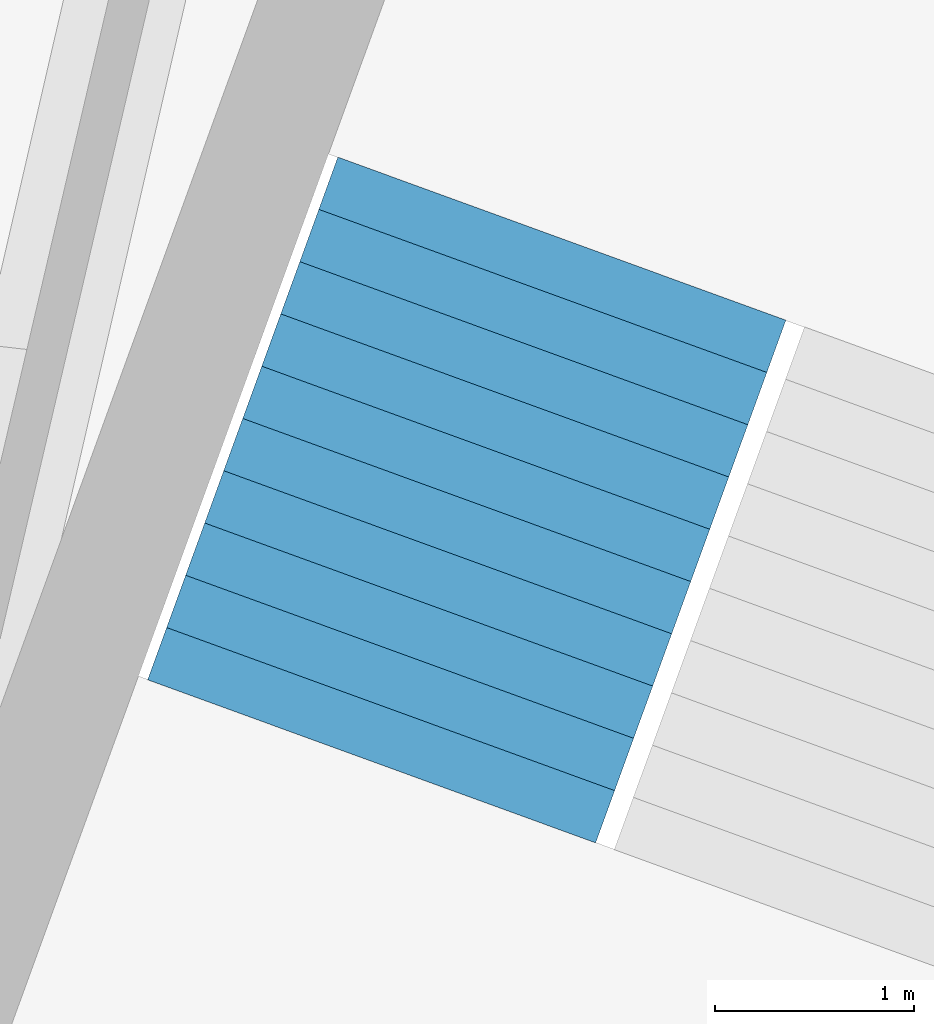
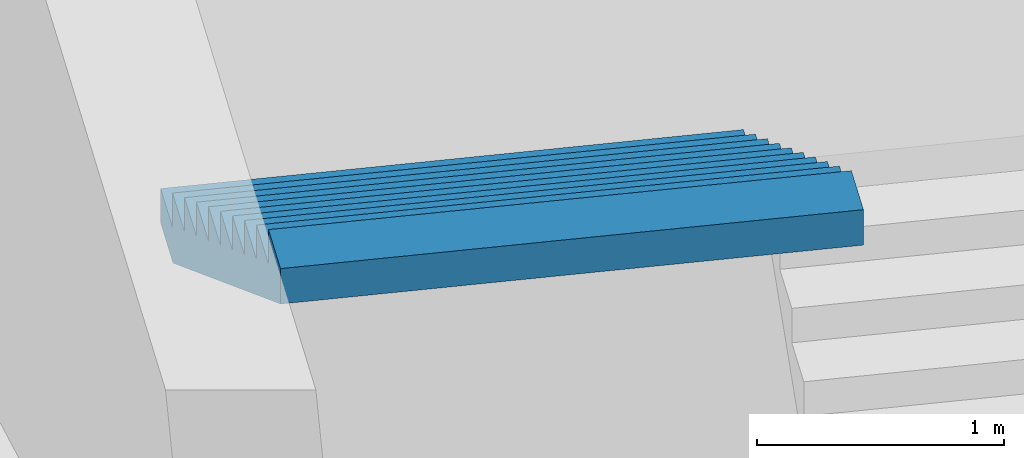
# One storey, part 48 of 73: 1 stair flight, 1 element without a shape of its own.
"""IFC4 building model written with IfcOpenShell, lengths in metres."""

from ifc_helpers import new_model, si_unit, direction, frame, origin, place, context, subcontext, project, spatial, triangles, material, type_object, element, aggregate, save


model = new_model("IFC4")

# Units and contexts
model_context = context("Model", 3, precision=1e-05, world=origin(), true_north=direction((0.0, 1.0)))
body_context = subcontext(model_context, "Body", "Model", "MODEL_VIEW")
ifc_project = project(units=[si_unit("LENGTHUNIT", "METRE"), si_unit("AREAUNIT", "SQUARE_METRE"), si_unit("VOLUMEUNIT", "CUBIC_METRE"), si_unit("PLANEANGLEUNIT", "RADIAN"), si_unit("MASSUNIT", "GRAM", prefix="KILO")], contexts=[model_context])

# Site, building, storey
site_placement = place(None, origin())
site = spatial("IfcSite", under=ifc_project, at=site_placement, CompositionType="ELEMENT")
building_placement = place(site_placement, origin())
building = spatial("IfcBuilding", under=site, at=building_placement, Name="Lantaw Convention Tower", CompositionType="ELEMENT")
storey_placement = place(building_placement, frame((0.0, 0.0, 14.5)))
storey = spatial("IfcBuildingStorey", under=building, at=storey_placement, Name="L02", CompositionType="ELEMENT", Elevation=14.5)

# Stair, stair flight
ifc_material = material(Name="Concrete C35/45", Category="concrete")
stair_type = type_object("IfcStairType", Name="Exit stair 2400 riser 170.45 in 4 flights", PredefinedType="HALF_TURN_STAIR", material=ifc_material)
stair_placement = place(storey_placement, origin())
stair = element("IfcStair", 1, at=stair_placement, inside=storey, type_object=stair_type, Name="Podium exit stair P5 L02", PredefinedType="HALF_TURN_STAIR")
stair_flight_type = type_object("IfcStairFlightType", Name="Stair flight 2400 riser 170.45", PredefinedType="STRAIGHT", material=ifc_material)
stair_flight_placement = place(storey_placement, frame((9.084716796875, 28.61474609375, 5.625), z_axis=(0.0, 0.0, 1.0), x_axis=(-0.342020143326, -0.939692620786, 0.0)))
stair_flight = element("IfcStairFlight", 2, at=stair_flight_placement, type_object=stair_flight_type, Name="P5 flight 4", NumberOfRisers=11, NumberOfTreads=10, PredefinedType="STRAIGHT", RiserHeight=0.170454545, TreadLength=0.28, context=body_context, shape_type="Tessellation", body=[
    triangles([(0.0, 1.199951171875, 0.0), (0.0, 1.199951171875, 0.170454545), (0.28, 1.199951171875, 0.0), (0.28, 1.199951171875, 0.170454545), (0.28, 1.199951171875, 0.34090909), (0.28827876332691904, 1.199951171875, 0.0), (0.28827876332691904, 1.199951171875, 0.34090909), (0.56, 1.199951171875, 0.16541471344266906), (0.56, 1.199951171875, 0.34090909), (0.56, 1.199951171875, 0.511363635), (0.8400000000000001, 1.199951171875, 0.335869258442669), (0.8400000000000001, 1.199951171875, 0.511363635), (0.8400000000000001, 1.199951171875, 0.68181818), (1.12, 1.199951171875, 0.506323803442669), (1.12, 1.199951171875, 0.68181818), (1.12, 1.199951171875, 0.8522727250000001), (1.4000000000000001, 1.199951171875, 0.676778348442669), (1.4000000000000001, 1.199951171875, 0.8522727250000001), (1.4000000000000001, 1.199951171875, 1.02272727), (1.6800000000000002, 1.199951171875, 0.847232893442669), (1.6800000000000002, 1.199951171875, 1.02272727), (1.6800000000000002, 1.199951171875, 1.193181815), (1.9600000000000002, 1.199951171875, 1.017687438442669), (1.9600000000000002, 1.199951171875, 1.193181815), (1.9600000000000002, 1.199951171875, 1.36363636), (2.24, 1.199951171875, 1.188141983442669), (2.24, 1.199951171875, 1.36363636), (2.24, 1.199951171875, 1.5340909050000002), (2.5200000000000005, 1.199951171875, 1.358596528442669), (2.5200000000000005, 1.199951171875, 1.5340909050000002), (2.5200000000000005, 1.199951171875, 1.7045454500000001), (2.8000000000000003, 1.199951171875, 1.529051073442669), (2.8000000000000003, 1.199951171875, 1.7045454500000001), (0.0, -1.199951171875, 0.0), (0.0, -1.199951171875, 0.170454545), (0.28, -1.199951171875, 0.0), (0.28, -1.199951171875, 0.170454545), (0.28, -1.199951171875, 0.34090909), (0.28827876332691904, -1.199951171875, 0.0), (0.28827876332691904, -1.199951171875, 0.34090909), (0.56, -1.199951171875, 0.16541471344266906), (0.56, -1.199951171875, 0.34090909), (0.56, -1.199951171875, 0.511363635), (0.8400000000000001, -1.199951171875, 0.335869258442669), (0.8400000000000001, -1.199951171875, 0.511363635), (0.8400000000000001, -1.199951171875, 0.68181818), (1.12, -1.199951171875, 0.506323803442669), (1.12, -1.199951171875, 0.68181818), (1.12, -1.199951171875, 0.8522727250000001), (1.4000000000000001, -1.199951171875, 0.676778348442669), (1.4000000000000001, -1.199951171875, 0.8522727250000001), (1.4000000000000001, -1.199951171875, 1.02272727), (1.6800000000000002, -1.199951171875, 0.847232893442669), (1.6800000000000002, -1.199951171875, 1.02272727), (1.6800000000000002, -1.199951171875, 1.193181815), (1.9600000000000002, -1.199951171875, 1.017687438442669), (1.9600000000000002, -1.199951171875, 1.193181815), (1.9600000000000002, -1.199951171875, 1.36363636), (2.24, -1.199951171875, 1.188141983442669), (2.24, -1.199951171875, 1.36363636), (2.24, -1.199951171875, 1.5340909050000002), (2.5200000000000005, -1.199951171875, 1.358596528442669), (2.5200000000000005, -1.199951171875, 1.5340909050000002), (2.5200000000000005, -1.199951171875, 1.7045454500000001), (2.8000000000000003, -1.199951171875, 1.529051073442669), (2.8000000000000003, -1.199951171875, 1.7045454500000001), (0.0, 0.239990234375, 0.170454545), (0.0, 0.239990234375, 0.0), (0.0, 0.1199951171875, 0.170454545), (0.0, 0.1199951171875, 0.0), (0.0, 0.0, 0.170454545), (0.0, 0.0, 0.0), (0.0, -0.1199951171875, 0.170454545), (0.0, -0.1199951171875, 0.0), (0.0, -0.239990234375, 0.170454545), (0.0, -0.239990234375, 0.0), (0.28, 0.239990234375, 0.34090909), (0.28, 0.239990234375, 0.170454545), (0.28, 0.1199951171875, 0.34090909), (0.28, 0.1199951171875, 0.170454545), (0.28, 0.0, 0.34090909), (0.28, 0.0, 0.170454545), (0.28, -0.1199951171875, 0.34090909), (0.28, -0.1199951171875, 0.170454545), (0.28, -0.239990234375, 0.34090909), (0.28, -0.239990234375, 0.170454545), (0.56, 0.239990234375, 0.511363635), (0.56, 0.239990234375, 0.34090909), (0.56, 0.1199951171875, 0.511363635), (0.56, 0.1199951171875, 0.34090909), (0.56, 0.0, 0.511363635), (0.56, 0.0, 0.34090909), (0.56, -0.1199951171875, 0.511363635), (0.56, -0.1199951171875, 0.34090909), (0.56, -0.239990234375, 0.511363635), (0.56, -0.239990234375, 0.34090909), (0.8400000000000001, 0.239990234375, 0.68181818), (0.8400000000000001, 0.239990234375, 0.511363635), (0.8400000000000001, 0.1199951171875, 0.68181818), (0.8400000000000001, 0.1199951171875, 0.511363635), (0.8400000000000001, 0.0, 0.68181818), (0.8400000000000001, 0.0, 0.511363635), (0.8400000000000001, -0.1199951171875, 0.68181818), (0.8400000000000001, -0.1199951171875, 0.511363635), (0.8400000000000001, -0.239990234375, 0.68181818), (0.8400000000000001, -0.239990234375, 0.511363635), (1.12, 0.239990234375, 0.8522727250000001), (1.12, 0.239990234375, 0.68181818), (1.12, 0.1199951171875, 0.8522727250000001), (1.12, 0.1199951171875, 0.68181818), (1.12, 0.0, 0.8522727250000001), (1.12, 0.0, 0.68181818), (1.12, -0.1199951171875, 0.8522727250000001), (1.12, -0.1199951171875, 0.68181818), (1.12, -0.239990234375, 0.8522727250000001), (1.12, -0.239990234375, 0.68181818), (1.4000000000000001, 0.239990234375, 1.02272727), (1.4000000000000001, 0.239990234375, 0.8522727250000001), (1.4000000000000001, 0.1199951171875, 1.02272727), (1.4000000000000001, 0.1199951171875, 0.8522727250000001), (1.4000000000000001, 0.0, 1.02272727), (1.4000000000000001, 0.0, 0.8522727250000001), (1.4000000000000001, -0.1199951171875, 1.02272727), (1.4000000000000001, -0.1199951171875, 0.8522727250000001), (1.4000000000000001, -0.239990234375, 1.02272727), (1.4000000000000001, -0.239990234375, 0.8522727250000001), (1.6800000000000002, 0.239990234375, 1.193181815), (1.6800000000000002, 0.239990234375, 1.02272727), (1.6800000000000002, 0.1199951171875, 1.193181815), (1.6800000000000002, 0.1199951171875, 1.02272727), (1.6800000000000002, 0.0, 1.193181815), (1.6800000000000002, 0.0, 1.02272727), (1.6800000000000002, -0.1199951171875, 1.193181815), (1.6800000000000002, -0.1199951171875, 1.02272727), (1.6800000000000002, -0.239990234375, 1.193181815), (1.6800000000000002, -0.239990234375, 1.02272727), (1.9600000000000002, 0.239990234375, 1.36363636), (1.9600000000000002, 0.239990234375, 1.193181815), (1.9600000000000002, 0.1199951171875, 1.36363636), (1.9600000000000002, 0.1199951171875, 1.193181815), (1.9600000000000002, 0.0, 1.36363636), (1.9600000000000002, 0.0, 1.193181815), (1.9600000000000002, -0.1199951171875, 1.36363636), (1.9600000000000002, -0.1199951171875, 1.193181815), (1.9600000000000002, -0.239990234375, 1.36363636), (1.9600000000000002, -0.239990234375, 1.193181815), (2.24, 0.239990234375, 1.5340909050000002), (2.24, 0.239990234375, 1.36363636), (2.24, 0.1199951171875, 1.5340909050000002), (2.24, 0.1199951171875, 1.36363636), (2.24, 0.0, 1.5340909050000002), (2.24, 0.0, 1.36363636), (2.24, -0.1199951171875, 1.5340909050000002), (2.24, -0.1199951171875, 1.36363636), (2.24, -0.239990234375, 1.5340909050000002), (2.24, -0.239990234375, 1.36363636), (2.5200000000000005, 0.239990234375, 1.7045454500000001), (2.5200000000000005, 0.239990234375, 1.5340909050000002), (2.5200000000000005, 0.1199951171875, 1.7045454500000001), (2.5200000000000005, 0.1199951171875, 1.5340909050000002), (2.5200000000000005, 0.0, 1.7045454500000001), (2.5200000000000005, 0.0, 1.5340909050000002), (2.5200000000000005, -0.1199951171875, 1.7045454500000001), (2.5200000000000005, -0.1199951171875, 1.5340909050000002), (2.5200000000000005, -0.239990234375, 1.7045454500000001), (2.5200000000000005, -0.239990234375, 1.5340909050000002), (0.28827876332691904, 0.239990234375, 0.34090909), (0.28827876332691904, 0.1199951171875, 0.34090909), (0.28827876332691904, 0.0, 0.34090909), (0.28827876332691904, -0.1199951171875, 0.34090909), (0.28827876332691904, -0.239990234375, 0.34090909), (2.8000000000000003, 0.239990234375, 1.7045454500000001), (2.8000000000000003, 0.1199951171875, 1.7045454500000001), (2.8000000000000003, 0.0, 1.7045454500000001), (2.8000000000000003, -0.1199951171875, 1.7045454500000001), (2.8000000000000003, -0.239990234375, 1.7045454500000001), (2.8000000000000003, 0.239990234375, 1.5290510734426692), (2.8000000000000003, 0.1199951171875, 1.5290510734426692), (2.8000000000000003, 0.0, 1.5290510734426692), (2.8000000000000003, -0.1199951171875, 1.5290510734426692), (2.8000000000000003, -0.239990234375, 1.5290510734426692), (2.5200000000000005, 0.239990234375, 1.358596528442669), (2.5200000000000005, 0.1199951171875, 1.358596528442669), (2.5200000000000005, 0.0, 1.358596528442669), (2.5200000000000005, -0.1199951171875, 1.358596528442669), (2.5200000000000005, -0.239990234375, 1.358596528442669), (2.24, 0.239990234375, 1.188141983442669), (2.24, 0.1199951171875, 1.188141983442669), (2.24, 0.0, 1.188141983442669), (2.24, -0.1199951171875, 1.188141983442669), (2.24, -0.239990234375, 1.188141983442669), (1.9600000000000002, 0.239990234375, 1.017687438442669), (1.9600000000000002, 0.1199951171875, 1.017687438442669), (1.9600000000000002, 0.0, 1.017687438442669), (1.9600000000000002, -0.1199951171875, 1.017687438442669), (1.9600000000000002, -0.239990234375, 1.017687438442669), (1.6800000000000002, 0.239990234375, 0.847232893442669), (1.6800000000000002, 0.1199951171875, 0.847232893442669), (1.6800000000000002, 0.0, 0.847232893442669), (1.6800000000000002, -0.1199951171875, 0.847232893442669), (1.6800000000000002, -0.239990234375, 0.847232893442669), (1.4000000000000001, 0.239990234375, 0.676778348442669), (1.4000000000000001, 0.1199951171875, 0.676778348442669), (1.4000000000000001, 0.0, 0.676778348442669), (1.4000000000000001, -0.1199951171875, 0.676778348442669), (1.4000000000000001, -0.239990234375, 0.676778348442669), (1.12, 0.239990234375, 0.506323803442669), (1.12, 0.1199951171875, 0.506323803442669), (1.12, 0.0, 0.506323803442669), (1.12, -0.1199951171875, 0.506323803442669), (1.12, -0.239990234375, 0.506323803442669), (0.8400000000000001, 0.239990234375, 0.335869258442669), (0.8400000000000001, 0.1199951171875, 0.335869258442669), (0.8400000000000001, 0.0, 0.335869258442669), (0.8400000000000001, -0.1199951171875, 0.335869258442669), (0.8400000000000001, -0.239990234375, 0.335869258442669), (0.56, 0.239990234375, 0.16541471344266906), (0.56, 0.1199951171875, 0.16541471344266906), (0.56, 0.0, 0.16541471344266906), (0.56, -0.1199951171875, 0.16541471344266906), (0.56, -0.239990234375, 0.16541471344266906), (0.28827876332691904, 0.239990234375, 0.0), (0.28827876332691904, 0.1199951171875, 0.0), (0.28827876332691904, 0.0, 0.0), (0.28827876332691904, -0.1199951171875, 0.0), (0.28827876332691904, -0.239990234375, 0.0), (0.28, 0.239990234375, 0.0), (0.28, 0.1199951171875, 0.0), (0.28, 0.0, 0.0), (0.28, -0.1199951171875, 0.0), (0.28, -0.239990234375, 0.0)], [[1, 4, 3], [1, 2, 4], [3, 4, 6], [4, 7, 6], [4, 5, 7], [6, 9, 8], [6, 7, 9], [8, 9, 11], [9, 12, 11], [9, 10, 12], [11, 12, 14], [12, 15, 14], [12, 13, 15], [14, 15, 17], [15, 18, 17], [15, 16, 18], [17, 18, 20], [18, 21, 20], [18, 19, 21], [20, 21, 23], [21, 24, 23], [21, 22, 24], [23, 24, 26], [24, 27, 26], [24, 25, 27], [26, 27, 29], [27, 30, 29], [27, 28, 30], [29, 30, 32], [30, 33, 32], [30, 31, 33], [34, 36, 37], [34, 37, 35], [36, 39, 37], [37, 39, 40], [37, 40, 38], [39, 41, 42], [39, 42, 40], [41, 44, 42], [42, 44, 45], [42, 45, 43], [44, 47, 45], [45, 47, 48], [45, 48, 46], [47, 50, 48], [48, 50, 51], [48, 51, 49], [50, 53, 51], [51, 53, 54], [51, 54, 52], [53, 56, 54], [54, 56, 57], [54, 57, 55], [56, 59, 57], [57, 59, 60], [57, 60, 58], [59, 62, 60], [60, 62, 63], [60, 63, 61], [62, 65, 63], [63, 65, 66], [63, 66, 64], [1, 67, 2], [1, 68, 67], [68, 69, 67], [68, 70, 69], [70, 71, 69], [70, 72, 71], [72, 73, 71], [72, 74, 73], [74, 75, 73], [74, 76, 75], [76, 35, 75], [76, 34, 35], [4, 77, 5], [4, 78, 77], [78, 79, 77], [78, 80, 79], [80, 81, 79], [80, 82, 81], [82, 83, 81], [82, 84, 83], [84, 85, 83], [84, 86, 85], [86, 38, 85], [86, 37, 38], [9, 87, 10], [9, 88, 87], [88, 89, 87], [88, 90, 89], [90, 91, 89], [90, 92, 91], [92, 93, 91], [92, 94, 93], [94, 95, 93], [94, 96, 95], [96, 43, 95], [96, 42, 43], [12, 97, 13], [12, 98, 97], [98, 99, 97], [98, 100, 99], [100, 101, 99], [100, 102, 101], [102, 103, 101], [102, 104, 103], [104, 105, 103], [104, 106, 105], [106, 46, 105], [106, 45, 46], [15, 107, 16], [15, 108, 107], [108, 109, 107], [108, 110, 109], [110, 111, 109], [110, 112, 111], [112, 113, 111], [112, 114, 113], [114, 115, 113], [114, 116, 115], [116, 49, 115], [116, 48, 49], [18, 117, 19], [18, 118, 117], [118, 119, 117], [118, 120, 119], [120, 121, 119], [120, 122, 121], [122, 123, 121], [122, 124, 123], [124, 125, 123], [124, 126, 125], [126, 52, 125], [126, 51, 52], [21, 127, 22], [21, 128, 127], [128, 129, 127], [128, 130, 129], [130, 131, 129], [130, 132, 131], [132, 133, 131], [132, 134, 133], [134, 135, 133], [134, 136, 135], [136, 55, 135], [136, 54, 55], [24, 137, 25], [24, 138, 137], [138, 139, 137], [138, 140, 139], [140, 141, 139], [140, 142, 141], [142, 143, 141], [142, 144, 143], [144, 145, 143], [144, 146, 145], [146, 58, 145], [146, 57, 58], [27, 147, 28], [27, 148, 147], [148, 149, 147], [148, 150, 149], [150, 151, 149], [150, 152, 151], [152, 153, 151], [152, 154, 153], [154, 155, 153], [154, 156, 155], [156, 61, 155], [156, 60, 61], [30, 157, 31], [30, 158, 157], [158, 159, 157], [158, 160, 159], [160, 161, 159], [160, 162, 161], [162, 163, 161], [162, 164, 163], [164, 165, 163], [164, 166, 165], [166, 64, 165], [166, 63, 64], [2, 78, 4], [2, 67, 78], [67, 80, 78], [67, 69, 80], [69, 82, 80], [69, 71, 82], [71, 84, 82], [71, 73, 84], [73, 86, 84], [73, 75, 86], [75, 37, 86], [75, 35, 37], [5, 167, 7], [5, 77, 167], [77, 168, 167], [77, 79, 168], [79, 169, 168], [79, 81, 169], [81, 170, 169], [81, 83, 170], [83, 171, 170], [83, 85, 171], [85, 40, 171], [85, 38, 40], [7, 88, 9], [7, 167, 88], [167, 90, 88], [167, 168, 90], [168, 92, 90], [168, 169, 92], [169, 94, 92], [169, 170, 94], [170, 96, 94], [170, 171, 96], [171, 42, 96], [171, 40, 42], [10, 98, 12], [10, 87, 98], [87, 100, 98], [87, 89, 100], [89, 102, 100], [89, 91, 102], [91, 104, 102], [91, 93, 104], [93, 106, 104], [93, 95, 106], [95, 45, 106], [95, 43, 45], [13, 108, 15], [13, 97, 108], [97, 110, 108], [97, 99, 110], [99, 112, 110], [99, 101, 112], [101, 114, 112], [101, 103, 114], [103, 116, 114], [103, 105, 116], [105, 48, 116], [105, 46, 48], [16, 118, 18], [16, 107, 118], [107, 120, 118], [107, 109, 120], [109, 122, 120], [109, 111, 122], [111, 124, 122], [111, 113, 124], [113, 126, 124], [113, 115, 126], [115, 51, 126], [115, 49, 51], [19, 128, 21], [19, 117, 128], [117, 130, 128], [117, 119, 130], [119, 132, 130], [119, 121, 132], [121, 134, 132], [121, 123, 134], [123, 136, 134], [123, 125, 136], [125, 54, 136], [125, 52, 54], [22, 138, 24], [22, 127, 138], [127, 140, 138], [127, 129, 140], [129, 142, 140], [129, 131, 142], [131, 144, 142], [131, 133, 144], [133, 146, 144], [133, 135, 146], [135, 57, 146], [135, 55, 57], [25, 148, 27], [25, 137, 148], [137, 150, 148], [137, 139, 150], [139, 152, 150], [139, 141, 152], [141, 154, 152], [141, 143, 154], [143, 156, 154], [143, 145, 156], [145, 60, 156], [145, 58, 60], [28, 158, 30], [28, 147, 158], [147, 160, 158], [147, 149, 160], [149, 162, 160], [149, 151, 162], [151, 164, 162], [151, 153, 164], [153, 166, 164], [153, 155, 166], [155, 63, 166], [155, 61, 63], [31, 172, 33], [31, 157, 172], [157, 173, 172], [157, 159, 173], [159, 174, 173], [159, 161, 174], [161, 175, 174], [161, 163, 175], [163, 176, 175], [163, 165, 176], [165, 66, 176], [165, 64, 66], [33, 177, 32], [33, 172, 177], [172, 178, 177], [172, 173, 178], [173, 179, 178], [173, 174, 179], [174, 180, 179], [174, 175, 180], [175, 181, 180], [175, 176, 181], [176, 65, 181], [176, 66, 65], [32, 182, 29], [32, 177, 182], [177, 183, 182], [177, 178, 183], [178, 184, 183], [178, 179, 184], [179, 185, 184], [179, 180, 185], [180, 186, 185], [180, 181, 186], [181, 62, 186], [181, 65, 62], [29, 187, 26], [29, 182, 187], [182, 188, 187], [182, 183, 188], [183, 189, 188], [183, 184, 189], [184, 190, 189], [184, 185, 190], [185, 191, 190], [185, 186, 191], [186, 59, 191], [186, 62, 59], [26, 192, 23], [26, 187, 192], [187, 193, 192], [187, 188, 193], [188, 194, 193], [188, 189, 194], [189, 195, 194], [189, 190, 195], [190, 196, 195], [190, 191, 196], [191, 56, 196], [191, 59, 56], [23, 197, 20], [23, 192, 197], [192, 198, 197], [192, 193, 198], [193, 199, 198], [193, 194, 199], [194, 200, 199], [194, 195, 200], [195, 201, 200], [195, 196, 201], [196, 53, 201], [196, 56, 53], [20, 202, 17], [20, 197, 202], [197, 203, 202], [197, 198, 203], [198, 204, 203], [198, 199, 204], [199, 205, 204], [199, 200, 205], [200, 206, 205], [200, 201, 206], [201, 50, 206], [201, 53, 50], [17, 207, 14], [17, 202, 207], [202, 208, 207], [202, 203, 208], [203, 209, 208], [203, 204, 209], [204, 210, 209], [204, 205, 210], [205, 211, 210], [205, 206, 211], [206, 47, 211], [206, 50, 47], [14, 212, 11], [14, 207, 212], [207, 213, 212], [207, 208, 213], [208, 214, 213], [208, 209, 214], [209, 215, 214], [209, 210, 215], [210, 216, 215], [210, 211, 216], [211, 44, 216], [211, 47, 44], [11, 217, 8], [11, 212, 217], [212, 218, 217], [212, 213, 218], [213, 219, 218], [213, 214, 219], [214, 220, 219], [214, 215, 220], [215, 221, 220], [215, 216, 221], [216, 41, 221], [216, 44, 41], [8, 222, 6], [8, 217, 222], [217, 223, 222], [217, 218, 223], [218, 224, 223], [218, 219, 224], [219, 225, 224], [219, 220, 225], [220, 226, 225], [220, 221, 226], [221, 39, 226], [221, 41, 39], [6, 227, 3], [6, 222, 227], [222, 228, 227], [222, 223, 228], [223, 229, 228], [223, 224, 229], [224, 230, 229], [224, 225, 230], [225, 231, 230], [225, 226, 231], [226, 36, 231], [226, 39, 36], [3, 68, 1], [3, 227, 68], [227, 70, 68], [227, 228, 70], [228, 72, 70], [228, 229, 72], [229, 74, 72], [229, 230, 74], [230, 76, 74], [230, 231, 76], [231, 34, 76], [231, 36, 34]], closed=True),
])
aggregate(stair, [stair_flight])

save(model, "model.ifc")
